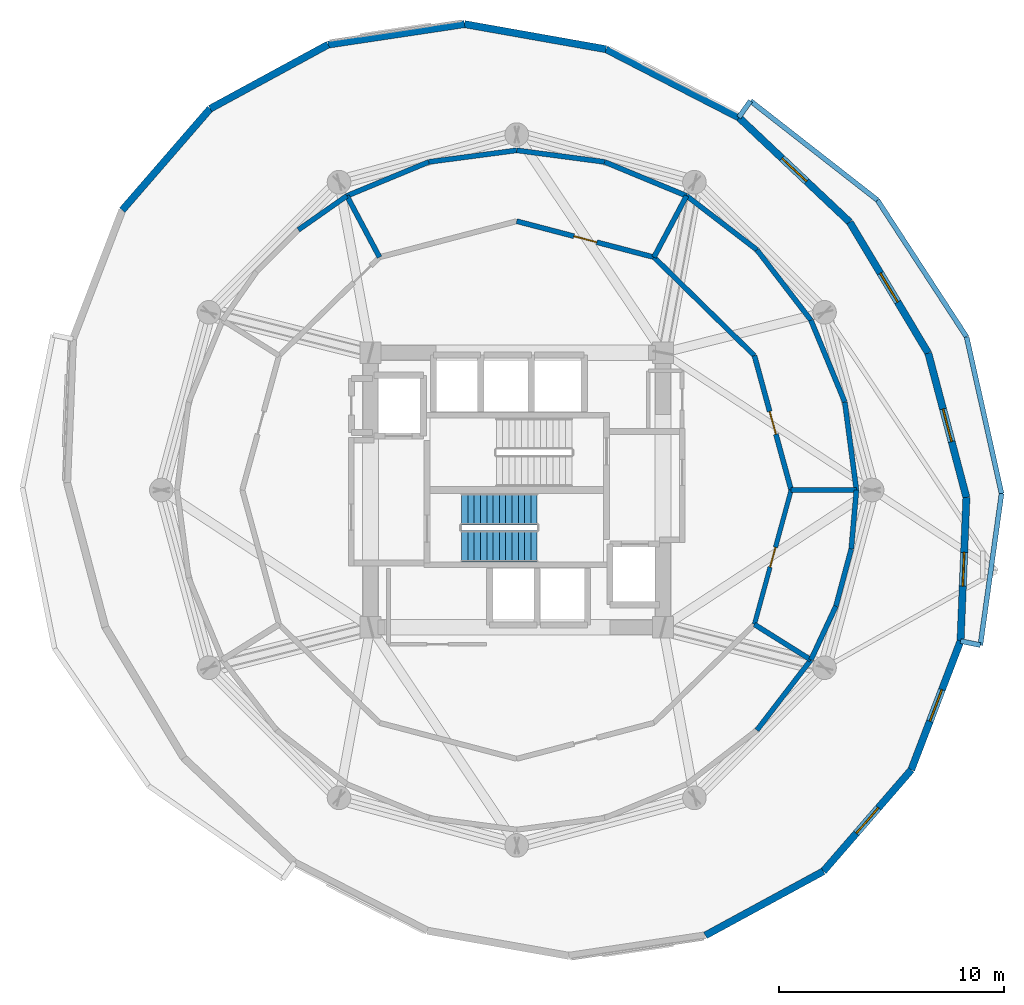
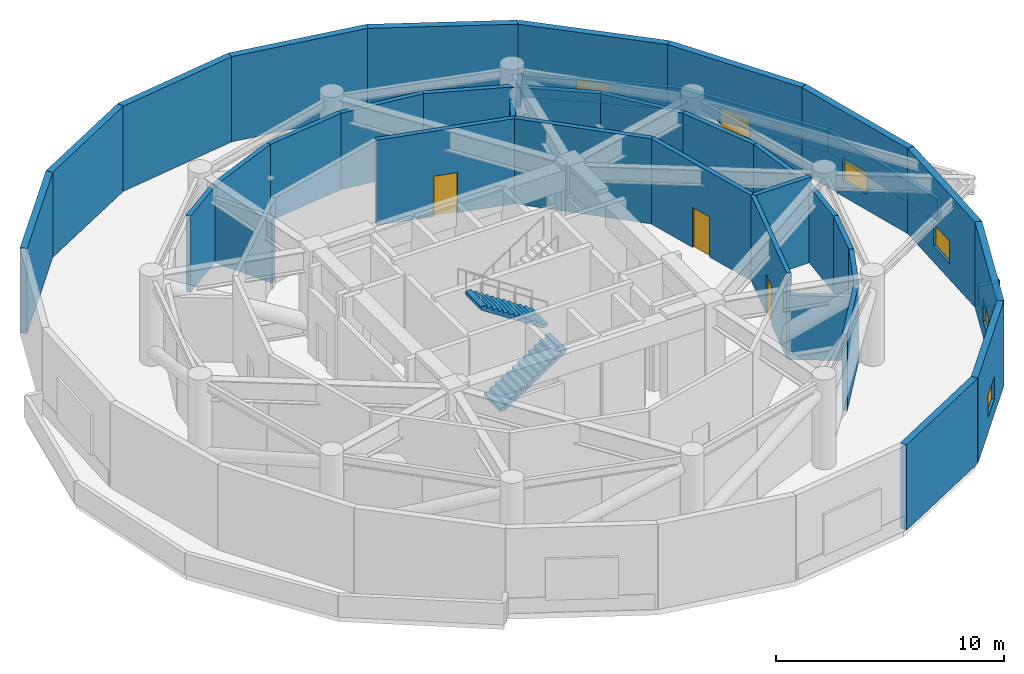
# One storey, part 4 of 7: 39 walls, 6 windows, 3 doors, 2 stair flights, 9 openings, 1 element without a shape of its own.
"""IFC4 building model written with IfcOpenShell, lengths in metres."""

from ifc_helpers import new_model, si_unit, direction, frame, frame_2d, origin, place, context, subcontext, project, spatial, polyline, rectangle, outline, extrude, material, layer, layer_set, type_object, element, fill, aggregate, save


model = new_model("IFC4")

# Units and contexts
model_context = context("Model", 3, precision=1e-05, world=origin(), true_north=direction((0.0, 1.0)))
body_context = subcontext(model_context, "Body", "Model", "MODEL_VIEW")
ifc_project = project(units=[si_unit("LENGTHUNIT", "METRE"), si_unit("AREAUNIT", "SQUARE_METRE"), si_unit("VOLUMEUNIT", "CUBIC_METRE"), si_unit("PLANEANGLEUNIT", "RADIAN"), si_unit("MASSUNIT", "GRAM", prefix="KILO")], contexts=[model_context])

# Site, building, storey
site_placement = place(None, origin())
site = spatial("IfcSite", under=ifc_project, at=site_placement, CompositionType="ELEMENT")
building_placement = place(site_placement, origin())
building = spatial("IfcBuilding", under=site, at=building_placement, Name="Solvirekh Grand Hotel", CompositionType="ELEMENT")
storey_placement = place(building_placement, frame((0.0, 0.0, 163.800048828125)))
storey = spatial("IfcBuildingStorey", under=building, at=storey_placement, Name="L42", CompositionType="ELEMENT", Elevation=163.800048828125)

# Wall, opening, window
ifc_material_1 = material(Name="Precast concrete C45/55", Category="concrete")
ifc_layer_1 = layer(ifc_material_1, 0.320068359375)
ifc_layer_set_1 = layer_set([ifc_layer_1], Name="Precast concrete C45/55")
wall_type_1 = type_object("IfcWallType", Name="ExtLobbyWall_RC320", PredefinedType="SOLIDWALL", material=ifc_layer_set_1)
wall_1_placement = place(storey_placement, frame((17.537109375, -12.44189453125, 0.0), z_axis=(0.0, 0.0, 1.0), x_axis=(-0.654966364216, -0.755658032278, 0.0)))
wall_1 = element("IfcWall", 1, at=wall_1_placement, inside=storey, type_object=wall_type_1, Name="L42 cantilevered deck support wall chord 1", PredefinedType="SOLIDWALL", context=body_context, shape_type="SweptSolid", body=[
    extrude(rectangle(XDim=5.967041015625, YDim=0.320068359375, at=frame_2d((2.9833984375, 0.0))), origin(), (0.0, 0.0, 1.0), 4.56005859375),
])
opening_1_placement = place(wall_1_placement, frame((2.23291015625, 0.0, 0.85009765625)))
opening_1 = element("IfcOpeningElement", 2, at=opening_1_placement, cuts=wall_1, Name="Opening W05", PredefinedType="OPENING", context=body_context, shape_type="SweptSolid", body=[
    extrude(rectangle(XDim=1.5, YDim=1.199951171875, at=frame_2d((0.75, 0.60009765625))), frame((0.0, 0.169921875, 0.0), z_axis=(0.0, -1.0, 0.0), x_axis=(1.0, 0.0, 0.0)), (0.0, 0.0, 1.0), 0.340087890625),
])
ifc_material_2 = material(Name="Low-E Tinted Bronze Laminated Glass", Category="aluminium")
window_type = type_object("IfcWindowType", Name="Win_PlantVent_1500X1200", PartitioningType="SINGLE_PANEL", PredefinedType="WINDOW", material=ifc_material_2)
window_1_placement = place(opening_1_placement, origin())
window_1 = element("IfcWindow", 3, at=window_1_placement, inside=storey, type_object=window_type, Name="L42 bronze-framed vision ribbon window 1", OverallHeight=1.199951171875, OverallWidth=1.5, PartitioningType="SINGLE_PANEL", PredefinedType="WINDOW", context=body_context, shape_type="SweptSolid", body=[
    extrude(rectangle(XDim=1.5, YDim=1.199951171875, at=frame_2d((0.75, 0.60009765625))), frame((0.0, 0.030029296875, 0.0), z_axis=(0.0, -1.0, 0.0), x_axis=(1.0, 0.0, 0.0)), (0.0, 0.0, 1.0), 0.06005859375),
])
fill(opening_1, window_1)

wall_2_placement = place(storey_placement, frame((19.72900390625, -6.715087890625, 0.0), z_axis=(0.0, 0.0, 1.0), x_axis=(-0.357455180871, -0.933930293795, 0.0)))
wall_2 = element("IfcWall", 4, at=wall_2_placement, inside=storey, type_object=wall_type_1, Name="L42 cantilevered deck support wall chord 2", PredefinedType="SOLIDWALL", context=body_context, shape_type="SweptSolid", body=[
    extrude(rectangle(XDim=6.1318359375, YDim=0.320068359375, at=frame_2d((3.06591796875, 0.0))), origin(), (0.0, 0.0, 1.0), 4.56005859375),
])
opening_2_placement = place(wall_2_placement, frame((2.31591796875, 0.0, 0.85009765625)))
opening_2 = element("IfcOpeningElement", 5, at=opening_2_placement, cuts=wall_2, Name="Opening W05", PredefinedType="OPENING", context=body_context, shape_type="SweptSolid", body=[
    extrude(rectangle(XDim=1.5, YDim=1.199951171875, at=frame_2d((0.75, 0.60009765625))), frame((0.0, 0.169921875, 0.0), z_axis=(0.0, -1.0, 0.0), x_axis=(1.0, 0.0, 0.0)), (0.0, 0.0, 1.0), 0.340087890625),
])
window_2_placement = place(opening_2_placement, origin())
window_2 = element("IfcWindow", 6, at=window_2_placement, inside=storey, type_object=window_type, Name="L42 bronze-framed vision ribbon window 2", OverallHeight=1.199951171875, OverallWidth=1.5, PartitioningType="SINGLE_PANEL", PredefinedType="WINDOW", context=body_context, shape_type="SweptSolid", body=[
    extrude(rectangle(XDim=1.5, YDim=1.199951171875, at=frame_2d((0.75, 0.60009765625))), frame((0.0, 0.030029296875, 0.0), z_axis=(0.0, -1.0, 0.0), x_axis=(1.0, 0.0, 0.0)), (0.0, 0.0, 1.0), 0.06005859375),
])
fill(opening_2, window_2)

wall_3_placement = place(storey_placement, frame((19.989990234375, -0.33203125, 0.0), z_axis=(0.0, 0.0, 1.0), x_axis=(-0.040853224497, -0.999165158544, 0.0)))
wall_3 = element("IfcWall", 7, at=wall_3_placement, inside=storey, type_object=wall_type_1, Name="L42 cantilevered deck support wall chord 3", PredefinedType="SOLIDWALL", context=body_context, shape_type="SweptSolid", body=[
    extrude(rectangle(XDim=6.388427734375, YDim=0.320068359375, at=frame_2d((3.1943359375, 0.0))), origin(), (0.0, 0.0, 1.0), 4.56005859375),
])
opening_3_placement = place(wall_3_placement, frame((2.444091796875, 0.0, 0.85009765625)))
opening_3 = element("IfcOpeningElement", 8, at=opening_3_placement, cuts=wall_3, Name="Opening W05", PredefinedType="OPENING", context=body_context, shape_type="SweptSolid", body=[
    extrude(rectangle(XDim=1.5, YDim=1.199951171875, at=frame_2d((0.75, 0.60009765625))), frame((0.0, 0.169921875, 0.0), z_axis=(0.0, -1.0, 0.0), x_axis=(1.0, 0.0, 0.0)), (0.0, 0.0, 1.0), 0.340087890625),
])
window_3_placement = place(opening_3_placement, origin())
window_3 = element("IfcWindow", 9, at=window_3_placement, inside=storey, type_object=window_type, Name="L42 bronze-framed vision ribbon window 3", OverallHeight=1.199951171875, OverallWidth=1.5, PartitioningType="SINGLE_PANEL", PredefinedType="WINDOW", context=body_context, shape_type="SweptSolid", body=[
    extrude(rectangle(XDim=1.5, YDim=1.199951171875, at=frame_2d((0.75, 0.60009765625))), frame((0.0, 0.030029296875, 0.0), z_axis=(0.0, -1.0, 0.0), x_axis=(1.0, 0.0, 0.0)), (0.0, 0.0, 1.0), 0.06005859375),
])
fill(opening_3, window_3)

wall_4_placement = place(storey_placement, frame((18.2939453125, 6.0849609375, 0.0), z_axis=(0.0, 0.0, 1.0), x_axis=(0.255530601314, -0.966800968034, 0.0)))
wall_4 = element("IfcWall", 10, at=wall_4_placement, inside=storey, type_object=wall_type_1, Name="L42 cantilevered deck support wall chord 4", PredefinedType="SOLIDWALL", context=body_context, shape_type="SweptSolid", body=[
    extrude(rectangle(XDim=6.637451171875, YDim=0.320068359375, at=frame_2d((3.31884765625, 0.0))), origin(), (0.0, 0.0, 1.0), 4.56005859375),
])
opening_4_placement = place(wall_4_placement, frame((2.569091796875, 0.0, 0.85009765625)))
opening_4 = element("IfcOpeningElement", 11, at=opening_4_placement, cuts=wall_4, Name="Opening W05", PredefinedType="OPENING", context=body_context, shape_type="SweptSolid", body=[
    extrude(rectangle(XDim=1.5, YDim=1.199951171875, at=frame_2d((0.75, 0.60009765625))), frame((0.0, 0.169921875, 0.0), z_axis=(0.0, -1.0, 0.0), x_axis=(1.0, 0.0, 0.0)), (0.0, 0.0, 1.0), 0.340087890625),
])
window_4_placement = place(opening_4_placement, origin())
window_4 = element("IfcWindow", 12, at=window_4_placement, inside=storey, type_object=window_type, Name="L42 bronze-framed vision ribbon window 4", OverallHeight=1.199951171875, OverallWidth=1.5, PartitioningType="SINGLE_PANEL", PredefinedType="WINDOW", context=body_context, shape_type="SweptSolid", body=[
    extrude(rectangle(XDim=1.5, YDim=1.199951171875, at=frame_2d((0.75, 0.60009765625))), frame((0.0, 0.030029296875, 0.0), z_axis=(0.0, -1.0, 0.0), x_axis=(1.0, 0.0, 0.0)), (0.0, 0.0, 1.0), 0.06005859375),
])
fill(opening_4, window_4)

wall_5_placement = place(storey_placement, frame((14.806884765625, 11.905029296875, 0.0), z_axis=(0.0, 0.0, 1.0), x_axis=(0.513955897255, -0.857816609583, 0.0)))
wall_5 = element("IfcWall", 13, at=wall_5_placement, inside=storey, type_object=wall_type_1, Name="L42 cantilevered deck support wall chord 5", PredefinedType="SOLIDWALL", context=body_context, shape_type="SweptSolid", body=[
    extrude(rectangle(XDim=6.78466796875, YDim=0.320068359375, at=frame_2d((3.392333984375, 0.0))), origin(), (0.0, 0.0, 1.0), 4.56005859375),
])
opening_5_placement = place(wall_5_placement, frame((2.64208984375, 0.0, 0.85009765625)))
opening_5 = element("IfcOpeningElement", 14, at=opening_5_placement, cuts=wall_5, Name="Opening W05", PredefinedType="OPENING", context=body_context, shape_type="SweptSolid", body=[
    extrude(rectangle(XDim=1.5, YDim=1.199951171875, at=frame_2d((0.75, 0.60009765625))), frame((0.0, 0.169921875, 0.0), z_axis=(0.0, -1.0, 0.0), x_axis=(1.0, 0.0, 0.0)), (0.0, 0.0, 1.0), 0.340087890625),
])
window_5_placement = place(opening_5_placement, origin())
window_5 = element("IfcWindow", 15, at=window_5_placement, inside=storey, type_object=window_type, Name="L42 bronze-framed vision ribbon window 5", OverallHeight=1.199951171875, OverallWidth=1.5, PartitioningType="SINGLE_PANEL", PredefinedType="WINDOW", context=body_context, shape_type="SweptSolid", body=[
    extrude(rectangle(XDim=1.5, YDim=1.199951171875, at=frame_2d((0.75, 0.60009765625))), frame((0.0, 0.030029296875, 0.0), z_axis=(0.0, -1.0, 0.0), x_axis=(1.0, 0.0, 0.0)), (0.0, 0.0, 1.0), 0.06005859375),
])
fill(opening_5, window_5)

wall_6_placement = place(storey_placement, frame((9.87109375, 16.56103515625, 0.0), z_axis=(0.0, 0.0, 1.0), x_axis=(0.727423133158, -0.686189176063, 0.0)))
wall_6 = element("IfcWall", 16, at=wall_6_placement, inside=storey, type_object=wall_type_1, Name="L42 cantilevered deck support wall chord 6", PredefinedType="SOLIDWALL", context=body_context, shape_type="SweptSolid", body=[
    extrude(rectangle(XDim=6.785400390625, YDim=0.320068359375, at=frame_2d((3.392578125, 0.0))), origin(), (0.0, 0.0, 1.0), 4.56005859375),
])
opening_6_placement = place(wall_6_placement, frame((2.64306640625, 0.0, 0.85009765625)))
opening_6 = element("IfcOpeningElement", 17, at=opening_6_placement, cuts=wall_6, Name="Opening W05", PredefinedType="OPENING", context=body_context, shape_type="SweptSolid", body=[
    extrude(rectangle(XDim=1.5, YDim=1.199951171875, at=frame_2d((0.75, 0.60009765625))), frame((0.0, 0.169921875, 0.0), z_axis=(0.0, -1.0, 0.0), x_axis=(1.0, 0.0, 0.0)), (0.0, 0.0, 1.0), 0.340087890625),
])
window_6_placement = place(opening_6_placement, origin())
window_6 = element("IfcWindow", 18, at=window_6_placement, inside=storey, type_object=window_type, Name="L42 bronze-framed vision ribbon window 6", OverallHeight=1.199951171875, OverallWidth=1.5, PartitioningType="SINGLE_PANEL", PredefinedType="WINDOW", context=body_context, shape_type="SweptSolid", body=[
    extrude(rectangle(XDim=1.5, YDim=1.199951171875, at=frame_2d((0.75, 0.60009765625))), frame((0.0, 0.030029296875, 0.0), z_axis=(0.0, -1.0, 0.0), x_axis=(1.0, 0.0, 0.0)), (0.0, 0.0, 1.0), 0.06005859375),
])
fill(opening_6, window_6)

# Walls
wall_7_placement = place(storey_placement, frame((3.968994140625, 19.594970703125, 0.0), z_axis=(0.0, 0.0, 1.0), x_axis=(0.88937542422, -0.457177596558, 0.0)))
element("IfcWall", 19, at=wall_7_placement, inside=storey, type_object=wall_type_1, Name="L42 exterior structural wall chord 7", PredefinedType="SOLIDWALL", context=body_context, shape_type="SweptSolid", body=[
    extrude(rectangle(XDim=6.63623046875, YDim=0.320068359375, at=frame_2d((3.318115234375, 0.0))), origin(), (0.0, 0.0, 1.0), 4.56005859375),
])
wall_8_placement = place(storey_placement, frame((-2.322021484375, 20.7109375, 0.0), z_axis=(0.0, 0.0, 1.0), x_axis=(0.984628142058, -0.174663739419, 0.0)))
element("IfcWall", 20, at=wall_8_placement, inside=storey, type_object=wall_type_1, Name="L42 exterior structural wall chord 8", PredefinedType="SOLIDWALL", context=body_context, shape_type="SweptSolid", body=[
    extrude(rectangle(XDim=6.38916015625, YDim=0.320068359375, at=frame_2d((3.194580078125, 0.0))), origin(), (0.0, 0.0, 1.0), 4.56005859375),
])
wall_9_placement = place(storey_placement, frame((-8.385986328125, 19.800048828125, 0.0), z_axis=(0.0, 0.0, 1.0), x_axis=(0.988905375543, 0.14854682165, 0.0)))
element("IfcWall", 21, at=wall_9_placement, inside=storey, type_object=wall_type_1, Name="L42 exterior structural wall chord 9", PredefinedType="SOLIDWALL", context=body_context, shape_type="SweptSolid", body=[
    extrude(rectangle(XDim=6.132080078125, YDim=0.320068359375, at=frame_2d((3.06591796875, 0.0))), origin(), (0.0, 0.0, 1.0), 4.56005859375),
])
for number, where, z_axis, x_axis, name in (
    (22, (-13.62890625, 16.950927734375, 0.0), (0.0, 0.0, 1.0), (0.878645033325, 0.47747555478, 0.0), "L42 exterior structural wall chord 10"),
    (23, (-17.537109375, 12.44189453125, 0.0), (0.0, 0.0, 1.0), (0.654966364216, 0.755658032278, 0.0), "L42 exterior structural wall chord 11"),
    (24, (13.62890625, -16.950927734375, 0.0), (0.0, 0.0, 1.0), (-0.878645033325, -0.47747555478, 0.0), "L42 exterior structural wall chord 20"),
):
    element("IfcWall", number, at=place(storey_placement, frame(where, z_axis=z_axis, x_axis=x_axis)), inside=storey, type_object=wall_type_1, Name=name, PredefinedType="SOLIDWALL", context=body_context, shape_type="SweptSolid", body=[
        extrude(rectangle(XDim=5.967041015625, YDim=0.320068359375, at=frame_2d((2.9833984375, 0.0))), origin(), (0.0, 0.0, 1.0), 4.56005859375),
    ])
ifc_layer_2 = layer(ifc_material_1, 0.219970703125)
ifc_layer_set_2 = layer_set([ifc_layer_2], Name="Precast concrete C45/55")
wall_type_2 = type_object("IfcWallType", Name="ExtParapet_RC220", PredefinedType="PARAPET", material=ifc_layer_set_2)
wall_10_placement = place(storey_placement, frame((19.72900390625, -6.715087890625, 0.0), z_axis=(0.0, 0.0, 1.0), x_axis=(0.980034419416, -0.198827907399, 0.0)))
element("IfcWall", 25, at=wall_10_placement, inside=storey, type_object=wall_type_2, Name="L42 mechanical setback parapet rcap 1", PredefinedType="PARAPET", context=body_context, shape_type="SweptSolid", body=[
    extrude(rectangle(XDim=0.900146484375, YDim=0.219970703125, at=frame_2d((0.4501953125, 0.0))), origin(), (0.0, 0.0, 1.0), 1.14990234375),
])
wall_11_placement = place(storey_placement, frame((20.611083984375, -6.89404296875, 0.0), z_axis=(0.0, 0.0, 1.0), x_axis=(0.138300811547, 0.990390269301, 0.0)))
element("IfcWall", 26, at=wall_11_placement, inside=storey, type_object=wall_type_2, Name="L42 mechanical setback parapet rcap 2", PredefinedType="PARAPET", context=body_context, shape_type="SweptSolid", body=[
    extrude(rectangle(XDim=6.803466796875, YDim=0.219970703125, at=frame_2d((3.40185546875, 0.0))), origin(), (0.0, 0.0, 1.0), 1.14990234375),
])
wall_12_placement = place(storey_placement, frame((21.552001953125, -0.156005859375, 0.0), z_axis=(0.0, 0.0, 1.0), x_axis=(-0.217847210897, 0.975982885457, 0.0)))
element("IfcWall", 27, at=wall_12_placement, inside=storey, type_object=wall_type_2, Name="L42 mechanical setback parapet rcap 3", PredefinedType="PARAPET", context=body_context, shape_type="SweptSolid", body=[
    extrude(rectangle(XDim=7.13330078125, YDim=0.219970703125, at=frame_2d((3.566650390625, 0.0))), origin(), (0.0, 0.0, 1.0), 1.14990234375),
])
wall_13_placement = place(storey_placement, frame((19.998046875, 6.805908203125, 0.0), z_axis=(0.0, 0.0, 1.0), x_axis=(-0.546098572752, 0.837720925391, 0.0)))
element("IfcWall", 28, at=wall_13_placement, inside=storey, type_object=wall_type_2, Name="L42 mechanical setback parapet rcap 4", PredefinedType="PARAPET", context=body_context, shape_type="SweptSolid", body=[
    extrude(rectangle(XDim=7.262451171875, YDim=0.219970703125, at=frame_2d((3.63134765625, 0.0))), origin(), (0.0, 0.0, 1.0), 1.14990234375),
])
wall_14_placement = place(storey_placement, frame((16.031982421875, 12.889892578125, 0.0), z_axis=(0.0, 0.0, 1.0), x_axis=(-0.788101432511, 0.615545394, 0.0)))
element("IfcWall", 29, at=wall_14_placement, inside=storey, type_object=wall_type_2, Name="L42 mechanical setback parapet rcap 5", PredefinedType="PARAPET", context=body_context, shape_type="SweptSolid", body=[
    extrude(rectangle(XDim=7.15625, YDim=0.219970703125, at=frame_2d((3.578125, 0.0))), origin(), (0.0, 0.0, 1.0), 1.14990234375),
])
wall_15_placement = place(storey_placement, frame((10.39208984375, 17.294921875, 0.0), z_axis=(0.0, 0.0, 1.0), x_axis=(-0.578875027389, -0.815416275694, 0.0)))
element("IfcWall", 30, at=wall_15_placement, inside=storey, type_object=wall_type_2, Name="L42 mechanical setback parapet rcap 6", PredefinedType="PARAPET", context=body_context, shape_type="SweptSolid", body=[
    extrude(rectangle(XDim=0.89990234375, YDim=0.219970703125, at=frame_2d((0.449951171875, 0.0))), origin(), (0.0, 0.0, 1.0), 1.14990234375),
])
ifc_layer_3 = layer(ifc_material_1, 0.22509765625)
ifc_layer_set_3 = layer_set([ifc_layer_3], Name="Precast concrete C45/55")
wall_type_3 = type_object("IfcWallType", Name="Part_Plant_225", PredefinedType="PARTITIONING", material=ifc_layer_set_3)
wall_16_placement = place(storey_placement, frame((12.199951171875, 0.0, 0.0), z_axis=(0.0, 0.0, 1.0), x_axis=(1.0, 0.0, 0.0)))
element("IfcWall", 31, at=wall_16_placement, inside=storey, type_object=wall_type_3, Name="L42 radial demising wall 1", PredefinedType="PARTITIONING", context=body_context, shape_type="SweptSolid", body=[
    extrude(rectangle(XDim=2.900146484375, YDim=0.22509765625, at=frame_2d((1.4501953125, 0.0))), origin(), (0.0, 0.0, 1.0), 4.56005859375),
])
for number, where, z_axis, x_axis, name in (
    (32, (6.10009765625, 10.34912109375, 0.0), (0.0, 0.0, 1.0), (0.469361306066, 0.883006208567, 0.0), "L42 radial demising wall 3"),
    (33, (-6.10009765625, 10.34912109375, 0.0), (0.0, 0.0, 1.0), (-0.469361306066, 0.883006208567, 0.0), "L42 radial demising wall 5"),
):
    element("IfcWall", number, at=place(storey_placement, frame(where, z_axis=z_axis, x_axis=x_axis)), inside=storey, type_object=wall_type_3, Name=name, PredefinedType="PARTITIONING", context=body_context, shape_type="SweptSolid", body=[
        extrude(rectangle(XDim=3.089111328125, YDim=0.22509765625, at=frame_2d((1.54443359375, 0.0))), origin(), (0.0, 0.0, 1.0), 3.427001953125),
    ])
wall_17_placement = place(storey_placement, frame((10.56591796875, -5.97509765625, 0.0), z_axis=(0.0, 0.0, 1.0), x_axis=(0.84715040899, -0.531353163675, 0.0)))
element("IfcWall", 34, at=wall_17_placement, inside=storey, type_object=wall_type_3, Name="L42 radial demising wall 12", PredefinedType="PARTITIONING", context=body_context, shape_type="SweptSolid", body=[
    extrude(rectangle(XDim=2.964111328125, YDim=0.22509765625, at=frame_2d((1.48193359375, 0.0))), origin(), (0.0, 0.0, 1.0), 3.427001953125),
])

# Wall, opening, door
wall_18_placement = place(storey_placement, frame((12.199951171875, 0.0, 0.0), z_axis=(0.0, 0.0, 1.0), x_axis=(-0.263787657435, 0.964580775148, 0.0)))
wall_18 = element("IfcWall", 35, at=wall_18_placement, inside=storey, type_object=wall_type_3, Name="L42 East Air-Handling Plant Room corridor wall", PredefinedType="PARTITIONING", context=body_context, shape_type="SweptSolid", body=[
    extrude(rectangle(XDim=6.194580078125, YDim=0.22509765625, at=frame_2d((3.09716796875, 0.0))), origin(), (0.0, 0.0, 1.0), 4.56005859375),
])
opening_7_placement = place(wall_18_placement, frame((2.572021484375, 0.0, 0.0)))
opening_7 = element("IfcOpeningElement", 36, at=opening_7_placement, cuts=wall_18, Name="Opening D12", PredefinedType="OPENING", context=body_context, shape_type="SweptSolid", body=[
    extrude(rectangle(XDim=1.050048828125, YDim=2.14990234375, at=frame_2d((0.52490234375, 1.074951171875))), frame((0.0, 0.12255859375, 0.0), z_axis=(0.0, -1.0, 0.0), x_axis=(1.0, 0.0, 0.0)), (0.0, 0.0, 1.0), 0.2451171875),
])
ifc_material_3 = material(Name="Fire-Rated Steel Door Assembly", Category="steel")
door_type_1 = type_object("IfcDoorType", Name="Door_PlantBOH_1050X2150", OperationType="NOTDEFINED", PredefinedType="DOOR", material=ifc_material_3)
door_1_placement = place(opening_7_placement, origin())
door_1 = element("IfcDoor", 37, at=door_1_placement, inside=storey, type_object=door_type_1, Name="L42 East Air-Handling Plant Room entrance door", OperationType="SINGLE_SWING_LEFT", OverallHeight=2.14990234375, OverallWidth=1.050048828125, PredefinedType="DOOR", context=body_context, shape_type="SweptSolid", body=[
    extrude(rectangle(XDim=1.050048828125, YDim=2.14990234375, at=frame_2d((0.52490234375, 1.074951171875))), frame((0.0, 0.02490234375, 0.0), z_axis=(0.0, -1.0, 0.0), x_axis=(1.0, 0.0, 0.0)), (0.0, 0.0, 1.0), 0.050048828125),
])
fill(opening_7, door_1)

# Walls
wall_19_placement = place(storey_placement, frame((10.56591796875, 5.97509765625, 0.0), z_axis=(0.0, 0.0, 1.0), x_axis=(-0.714411174131, 0.699726142342, 0.0)))
element("IfcWall", 38, at=wall_19_placement, inside=storey, type_object=wall_type_3, Name="L42 East Air-Handling Plant Room corridor wall 2", PredefinedType="PARTITIONING", context=body_context, shape_type="SweptSolid", body=[
    extrude(rectangle(XDim=6.2509765625, YDim=0.22509765625, at=frame_2d((3.12548828125, 0.0))), origin(), (0.0, 0.0, 1.0), 4.56005859375),
])
wall_20_placement = place(storey_placement, frame((15.10009765625, 0.0, 0.0), z_axis=(0.0, 0.0, 1.0), x_axis=(-0.130686825008, 0.991423700427, 0.0)))
element("IfcWall", 39, at=wall_20_placement, inside=storey, type_object=wall_type_3, Name="L42 East Air-Handling Plant Room perimeter acoustic baffle wall 1", PredefinedType="PARTITIONING", context=body_context, shape_type="SweptSolid", body=[
    extrude(rectangle(XDim=3.941650390625, YDim=0.22509765625, at=frame_2d((1.970703125, 0.0))), origin(), (0.0, 0.0, 1.0), 4.0888671875),
])
wall_21_placement = place(storey_placement, frame((14.5849609375, 3.907958984375, 0.0), z_axis=(0.0, 0.0, 1.0), x_axis=(-0.382565124064, 0.92392852854, 0.0)))
element("IfcWall", 40, at=wall_21_placement, inside=storey, type_object=wall_type_3, Name="L42 East Air-Handling Plant Room perimeter acoustic baffle wall 2", PredefinedType="PARTITIONING", context=body_context, shape_type="SweptSolid", body=[
    extrude(rectangle(XDim=3.94189453125, YDim=0.22509765625, at=frame_2d((1.970947265625, 0.0))), origin(), (0.0, 0.0, 1.0), 4.0888671875),
])
for number, where, z_axis, x_axis, name in (
    (41, (13.076904296875, 7.550048828125, 0.0), (0.0, 0.0, 1.0), (-0.608842353881, 0.793291237895, 0.0), "L42 East Air-Handling Plant Room perimeter acoustic baffle wall 3"),
    (42, (10.677001953125, 10.677001953125, 0.0), (0.0, 0.0, 1.0), (-0.793291237895, 0.608842353881, 0.0), "L42 East Air-Handling Plant Room perimeter acoustic baffle wall 4"),
):
    element("IfcWall", number, at=place(storey_placement, frame(where, z_axis=z_axis, x_axis=x_axis)), inside=storey, type_object=wall_type_3, Name=name, PredefinedType="PARTITIONING", context=body_context, shape_type="SweptSolid", body=[
        extrude(rectangle(XDim=3.941650390625, YDim=0.22509765625, at=frame_2d((1.970703125, 0.0))), origin(), (0.0, 0.0, 1.0), 4.0888671875),
    ])

# Wall, opening, door
wall_22_placement = place(storey_placement, frame((6.10009765625, 10.34912109375, 0.0), z_axis=(0.0, 0.0, 1.0), x_axis=(-0.967248312895, 0.253832033445, 0.0)))
wall_22 = element("IfcWall", 43, at=wall_22_placement, inside=storey, type_object=wall_type_3, Name="L42 North Heat-Recovery Plant Room corridor wall", PredefinedType="PARTITIONING", context=body_context, shape_type="SweptSolid", body=[
    extrude(rectangle(XDim=6.306640625, YDim=0.22509765625, at=frame_2d((3.1533203125, 0.0))), origin(), (0.0, 0.0, 1.0), 4.56005859375),
])
opening_8_placement = place(wall_22_placement, frame((2.6279296875, 0.0, 0.0)))
opening_8 = element("IfcOpeningElement", 44, at=opening_8_placement, cuts=wall_22, Name="Opening D12", PredefinedType="OPENING", context=body_context, shape_type="SweptSolid", body=[
    extrude(rectangle(XDim=1.050048828125, YDim=2.14990234375, at=frame_2d((0.52490234375, 1.074951171875))), frame((0.0, 0.12255859375, 0.0), z_axis=(0.0, -1.0, 0.0), x_axis=(1.0, 0.0, 0.0)), (0.0, 0.0, 1.0), 0.2451171875),
])
door_2_placement = place(opening_8_placement, origin())
door_2 = element("IfcDoor", 45, at=door_2_placement, inside=storey, type_object=door_type_1, Name="L42 North Heat-Recovery Plant Room entrance door", OperationType="SINGLE_SWING_RIGHT", OverallHeight=2.14990234375, OverallWidth=1.050048828125, PredefinedType="DOOR", context=body_context, shape_type="SweptSolid", body=[
    extrude(rectangle(XDim=1.050048828125, YDim=2.14990234375, at=frame_2d((0.52490234375, 1.074951171875))), frame((0.0, 0.02490234375, 0.0), z_axis=(0.0, -1.0, 0.0), x_axis=(1.0, 0.0, 0.0)), (0.0, 0.0, 1.0), 0.050048828125),
])
fill(opening_8, door_2)

# Walls
wall_23_placement = place(storey_placement, frame((7.550048828125, 13.076904296875, 0.0), z_axis=(0.0, 0.0, 1.0), x_axis=(-0.92392852854, 0.382565124064, 0.0)))
element("IfcWall", 46, at=wall_23_placement, inside=storey, type_object=wall_type_3, Name="L42 North Heat-Recovery Plant Room perimeter acoustic baffle wall 1", PredefinedType="PARTITIONING", context=body_context, shape_type="SweptSolid", body=[
    extrude(rectangle(XDim=3.94189453125, YDim=0.22509765625, at=frame_2d((1.970947265625, 0.0))), origin(), (0.0, 0.0, 1.0), 4.0888671875),
])
for number, where, z_axis, x_axis, name in (
    (47, (3.907958984375, 14.5849609375, 0.0), (0.0, 0.0, 1.0), (-0.991423700427, 0.130686825008, 0.0), "L42 North Heat-Recovery Plant Room perimeter acoustic baffle wall 2"),
    (48, (0.0, 15.10009765625, 0.0), (0.0, 0.0, 1.0), (-0.991423700427, -0.130686825008, 0.0), "L42 North Heat-Recovery Plant Room perimeter acoustic baffle wall 3"),
):
    element("IfcWall", number, at=place(storey_placement, frame(where, z_axis=z_axis, x_axis=x_axis)), inside=storey, type_object=wall_type_3, Name=name, PredefinedType="PARTITIONING", context=body_context, shape_type="SweptSolid", body=[
        extrude(rectangle(XDim=3.941650390625, YDim=0.22509765625, at=frame_2d((1.970703125, 0.0))), origin(), (0.0, 0.0, 1.0), 4.0888671875),
    ])
wall_24_placement = place(storey_placement, frame((-3.907958984375, 14.5849609375, 0.0), z_axis=(0.0, 0.0, 1.0), x_axis=(-0.92392852854, -0.382565124064, 0.0)))
element("IfcWall", 49, at=wall_24_placement, inside=storey, type_object=wall_type_3, Name="L42 North Heat-Recovery Plant Room perimeter acoustic baffle wall 4", PredefinedType="PARTITIONING", context=body_context, shape_type="SweptSolid", body=[
    extrude(rectangle(XDim=3.94189453125, YDim=0.22509765625, at=frame_2d((1.970947265625, 0.0))), origin(), (0.0, 0.0, 1.0), 4.0888671875),
])
wall_25_placement = place(storey_placement, frame((-7.550048828125, 13.076904296875, 0.0), z_axis=(0.0, 0.0, 1.0), x_axis=(-0.819088098884, -0.57366774902, 0.0)))
element("IfcWall", 50, at=wall_25_placement, inside=storey, type_object=wall_type_3, Name="L42 Booster Pump & Smoke-Extract Plant Room perimeter acoustic baffle wall 1", PredefinedType="PARTITIONING", context=body_context, shape_type="SweptSolid", body=[
    extrude(rectangle(XDim=2.63232421875, YDim=0.22509765625, at=frame_2d((1.316162109375, 0.0))), origin(), (0.0, 0.0, 1.0), 4.0888671875),
])
wall_26_placement = place(storey_placement, frame((10.677001953125, -10.677001953125, 0.0), z_axis=(0.0, 0.0, 1.0), x_axis=(0.608842353881, 0.793291237895, 0.0)))
element("IfcWall", 51, at=wall_26_placement, inside=storey, type_object=wall_type_3, Name="L42 Pressurized Occupant Refuge Area perimeter acoustic baffle wall 8", PredefinedType="PARTITIONING", context=body_context, shape_type="SweptSolid", body=[
    extrude(rectangle(XDim=3.941650390625, YDim=0.22509765625, at=frame_2d((1.970703125, 0.0))), origin(), (0.0, 0.0, 1.0), 4.0888671875),
])
wall_27_placement = place(storey_placement, frame((13.076904296875, -7.550048828125, 0.0), z_axis=(0.0, 0.0, 1.0), x_axis=(0.422590864917, 0.906320561881, 0.0)))
element("IfcWall", 52, at=wall_27_placement, inside=storey, type_object=wall_type_3, Name="L42 Refuge Public & Accessible Restrooms perimeter acoustic baffle wall 1", PredefinedType="PARTITIONING", context=body_context, shape_type="SweptSolid", body=[
    extrude(rectangle(XDim=2.631591796875, YDim=0.22509765625, at=frame_2d((1.31591796875, 0.0))), origin(), (0.0, 0.0, 1.0), 4.0888671875),
])
wall_28_placement = place(storey_placement, frame((14.18896484375, -5.1650390625, 0.0), z_axis=(0.0, 0.0, 1.0), x_axis=(0.259082150309, 0.965855289053, 0.0)))
element("IfcWall", 53, at=wall_28_placement, inside=storey, type_object=wall_type_3, Name="L42 Refuge Public & Accessible Restrooms perimeter acoustic baffle wall 2", PredefinedType="PARTITIONING", context=body_context, shape_type="SweptSolid", body=[
    extrude(rectangle(XDim=2.6328125, YDim=0.22509765625, at=frame_2d((1.31640625, 0.0))), origin(), (0.0, 0.0, 1.0), 4.0888671875),
])
wall_29_placement = place(storey_placement, frame((14.87109375, -2.6220703125, 0.0), z_axis=(0.0, 0.0, 1.0), x_axis=(0.087005858132, 0.996207799935, 0.0)))
element("IfcWall", 54, at=wall_29_placement, inside=storey, type_object=wall_type_3, Name="L42 Refuge Public & Accessible Restrooms perimeter acoustic baffle wall 3", PredefinedType="PARTITIONING", context=body_context, shape_type="SweptSolid", body=[
    extrude(rectangle(XDim=2.632080078125, YDim=0.22509765625, at=frame_2d((1.31591796875, 0.0))), origin(), (0.0, 0.0, 1.0), 4.0888671875),
])

# Wall, opening, door
ifc_material_4 = material(Name="Acoustic Gypsum Partition Assembly")
ifc_layer_4 = layer(ifc_material_4, 0.199951171875)
ifc_layer_set_4 = layer_set([ifc_layer_4], Name="Acoustic Gypsum Partition Assembly")
wall_type_4 = type_object("IfcWallType", Name="Plumb_PublicWC_200", PredefinedType="PLUMBINGWALL", material=ifc_layer_set_4)
wall_30_placement = place(storey_placement, frame((10.56591796875, -5.97509765625, 0.0), z_axis=(0.0, 0.0, 1.0), x_axis=(0.263787657435, 0.964580775148, 0.0)))
wall_30 = element("IfcWall", 55, at=wall_30_placement, inside=storey, type_object=wall_type_4, Name="L42 Refuge Public & Accessible Restrooms corridor wall", PredefinedType="PLUMBINGWALL", context=body_context, shape_type="SweptSolid", body=[
    extrude(rectangle(XDim=6.194580078125, YDim=0.199951171875, at=frame_2d((3.09716796875, 0.0))), origin(), (0.0, 0.0, 1.0), 4.56005859375),
])
opening_9_placement = place(wall_30_placement, frame((2.64697265625, 0.0, 0.0)))
opening_9 = element("IfcOpeningElement", 56, at=opening_9_placement, cuts=wall_30, Name="Opening D09", PredefinedType="OPENING", context=body_context, shape_type="SweptSolid", body=[
    extrude(rectangle(XDim=0.89990234375, YDim=2.10009765625, at=frame_2d((0.449951171875, 1.050048828125))), frame((0.0, 0.10986328125, 0.0), z_axis=(0.0, -1.0, 0.0), x_axis=(1.0, 0.0, 0.0)), (0.0, 0.0, 1.0), 0.219970703125),
])
ifc_material_5 = material(Name="Anodized Bronze Aluminium 6063-T6", Category="aluminium")
door_type_2 = type_object("IfcDoorType", Name="Door_Ensuite_900X2100", OperationType="NOTDEFINED", PredefinedType="DOOR", material=ifc_material_5)
door_3_placement = place(opening_9_placement, origin())
door_3 = element("IfcDoor", 57, at=door_3_placement, inside=storey, type_object=door_type_2, Name="L42 Refuge Public & Accessible Restrooms entrance door", OperationType="SINGLE_SWING_RIGHT", OverallHeight=2.10009765625, OverallWidth=0.89990234375, PredefinedType="DOOR", context=body_context, shape_type="SweptSolid", body=[
    extrude(rectangle(XDim=0.89990234375, YDim=2.10009765625, at=frame_2d((0.449951171875, 1.050048828125))), frame((0.0, 0.02490234375, 0.0), z_axis=(0.0, -1.0, 0.0), x_axis=(1.0, 0.0, 0.0)), (0.0, 0.0, 1.0), 0.050048828125),
])
fill(opening_9, door_3)

# Stair, stair flights
ifc_material_6 = material(Name="Concrete C40/50", Category="concrete")
stair_type = type_object("IfcStairType", Name="Stair_Core_1450", PredefinedType="HALF_TURN_STAIR", material=ifc_material_6)
stair_placement = place(storey_placement, origin())
stair = element("IfcStair", 58, at=stair_placement, inside=storey, type_object=stair_type, Name="L42 Enclosed exit stair ST-1", PredefinedType="HALF_TURN_STAIR")
stair_flight_type = type_object("IfcStairFlightType", Name="Flight_Core_1450", PredefinedType="STRAIGHT", material=ifc_material_6)
stair_flight_1_placement = place(storey_placement, frame((-2.449951171875, -2.5, 0.0), z_axis=(0.0, 0.0, 1.0), x_axis=(1.0, 0.0, 0.0)))
stair_flight_1 = element("IfcStairFlight", 59, at=stair_flight_1_placement, type_object=stair_flight_type, Name="ST-1 flight 1", NumberOfRisers=13, NumberOfTreads=12, PredefinedType="STRAIGHT", RiserHeight=0.184615385, TreadLength=0.28, context=body_context, shape_type="SweptSolid", body=[
    extrude(outline(polyline([(0.0, 0.0), (0.0, 0.1845703125), (0.280029296875, 0.1845703125), (0.280029296875, 0.369140625), (0.56005859375, 0.369140625), (0.56005859375, 0.553955078125), (0.840087890625, 0.553955078125), (0.840087890625, 0.738525390625), (1.1201171875, 0.738525390625), (1.1201171875, 0.923095703125), (1.39990234375, 0.923095703125), (1.39990234375, 1.107666015625), (1.679931640625, 1.107666015625), (1.679931640625, 1.292236328125), (1.9599609375, 1.292236328125), (1.9599609375, 1.476806640625), (2.239990234375, 1.476806640625), (2.239990234375, 1.66162109375), (2.52001953125, 1.66162109375), (2.52001953125, 1.84619140625), (2.800048828125, 1.84619140625), (2.800048828125, 2.03076171875), (3.080078125, 2.03076171875), (3.080078125, 2.21533203125), (3.360107421875, 2.21533203125), (3.360107421875, 2.39990234375), (3.360107421875, 2.035888671875), (0.272216796875, 0.0), (0.0, 0.0)])), frame((0.0, 0.699951171875, 0.0), z_axis=(0.0, -1.0, 0.0), x_axis=(1.0, 0.0, 0.0)), (0.0, 0.0, 1.0), 1.39990234375),
])
stair_flight_2_placement = place(storey_placement, frame((0.909912109375, -0.85009765625, 2.39990234375), z_axis=(0.0, 0.0, 1.0), x_axis=(-1.0, 0.0, 0.0)))
stair_flight_2 = element("IfcStairFlight", 60, at=stair_flight_2_placement, type_object=stair_flight_type, Name="ST-1 flight 2", NumberOfRisers=13, NumberOfTreads=12, PredefinedType="STRAIGHT", RiserHeight=0.184615385, TreadLength=0.28, context=body_context, shape_type="SweptSolid", body=[
    extrude(outline(polyline([(0.0, 0.0), (0.0, 0.1845703125), (0.280029296875, 0.1845703125), (0.280029296875, 0.369140625), (0.56005859375, 0.369140625), (0.56005859375, 0.553955078125), (0.840087890625, 0.553955078125), (0.840087890625, 0.738525390625), (1.1201171875, 0.738525390625), (1.1201171875, 0.923095703125), (1.39990234375, 0.923095703125), (1.39990234375, 1.107666015625), (1.679931640625, 1.107666015625), (1.679931640625, 1.292236328125), (1.9599609375, 1.292236328125), (1.9599609375, 1.476806640625), (2.239990234375, 1.476806640625), (2.239990234375, 1.66162109375), (2.52001953125, 1.66162109375), (2.52001953125, 1.84619140625), (2.800048828125, 1.84619140625), (2.800048828125, 2.03076171875), (3.080078125, 2.03076171875), (3.080078125, 2.21533203125), (3.360107421875, 2.21533203125), (3.360107421875, 2.39990234375), (3.360107421875, 2.035888671875), (0.272216796875, 0.0), (0.0, 0.0)])), frame((0.0, 0.699951171875, 0.0), z_axis=(0.0, -1.0, 0.0), x_axis=(1.0, 0.0, 0.0)), (0.0, 0.0, 1.0), 1.39990234375),
])
aggregate(stair, [stair_flight_1, stair_flight_2])

save(model, "model.ifc")
